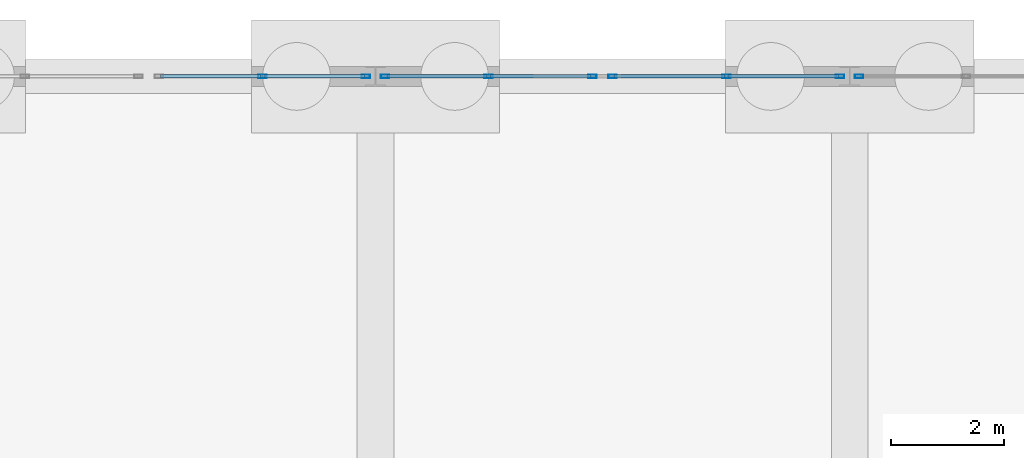
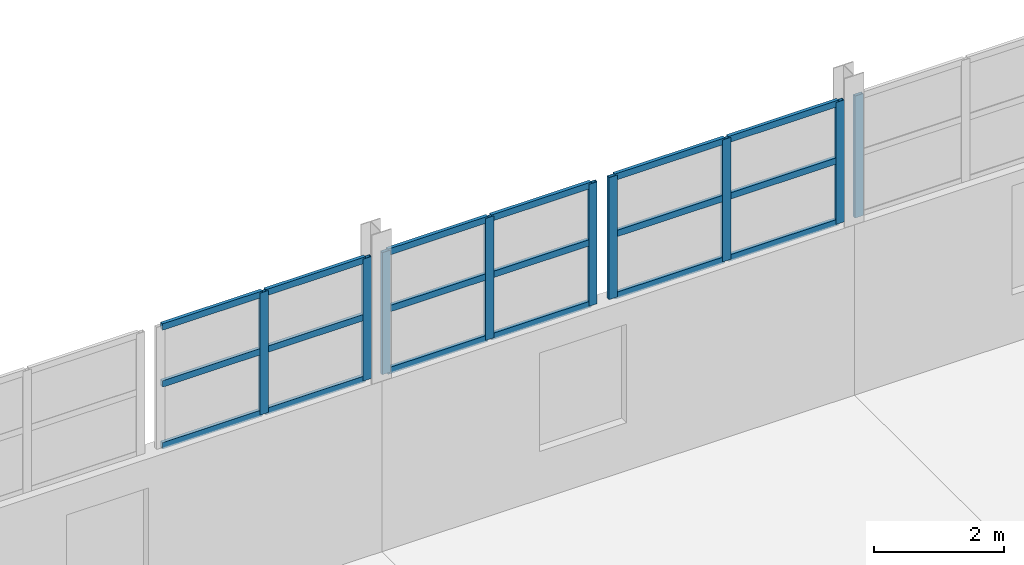
# One storey, part 99 of 139: 27 members, 4 elements without a shape of their own.
"""IFC4 building model written with IfcOpenShell, lengths in metres."""

from ifc_helpers import new_model, si_unit, direction, frame, origin, origin_2d, place, context, subcontext, project, spatial, hollow_rectangle, extrude, material, material_profile, profile_set, type_object, element, aggregate, save


model = new_model("IFC4")

# Units and contexts
model_context = context("Model", 3, precision=1e-05, world=origin(), true_north=direction((0.0, 1.0)))
body_context = subcontext(model_context, "Body", "Model", "MODEL_VIEW")
ifc_project = project(units=[si_unit("LENGTHUNIT", "METRE"), si_unit("AREAUNIT", "SQUARE_METRE"), si_unit("VOLUMEUNIT", "CUBIC_METRE"), si_unit("PLANEANGLEUNIT", "RADIAN"), si_unit("MASSUNIT", "GRAM", prefix="KILO")], contexts=[model_context])

# Site, building, storey
site_placement = place(None, origin())
site = spatial("IfcSite", under=ifc_project, at=site_placement, CompositionType="ELEMENT")
building_placement = place(site_placement, origin())
building = spatial("IfcBuilding", under=site, at=building_placement, Name="Kazenagashi Tramway Depot", CompositionType="ELEMENT")
storey_placement = place(building_placement, origin())
storey = spatial("IfcBuildingStorey", under=building, at=storey_placement, Name="L01", CompositionType="ELEMENT", Elevation=0.0)

# Curtain wall, members
ifc_material_1 = material(Name="Anodised Aluminium and Low-E Glazing", Category="aluminium")
curtain_wall_type_1 = type_object("IfcCurtainWallType", Name="CW-17", PredefinedType="USERDEFINED", material=ifc_material_1)
curtain_wall_1_placement = place(storey_placement, origin())
curtain_wall_1 = element("IfcCurtainWall", 1, at=curtain_wall_1_placement, inside=storey, type_object=curtain_wall_type_1, Name="Industrial Glazed Screen CW-17 CW-0080", ObjectType="GLAZED SCREEN", PredefinedType="USERDEFINED")
ifc_material_2 = material(Name="Anodised Aluminium", Category="aluminium")
ifc_material_profile_1 = material_profile(ifc_material_2, hollow_rectangle(XDim=0.06, YDim=0.15, WallThickness=0.004, at=origin_2d()), Name="RHS-150x60x4")
ifc_profile_set_1 = profile_set([ifc_material_profile_1], Name="Anodised Aluminium")
member_type_1 = type_object("IfcMemberType", Name="ML-01", PredefinedType="MULLION", material=ifc_profile_set_1)
member_1_placement = place(storey_placement, frame((143.595, 130.0, 3.2), z_axis=(0.0, 0.0, 1.0), x_axis=(0.0, 1.0, 0.0)))
member_1 = element("IfcMember", 2, at=member_1_placement, type_object=member_type_1, Name="CW-17 mullion 2", PredefinedType="MULLION", context=body_context, shape_type="SweptSolid", body=[
    extrude(hollow_rectangle(XDim=0.06, YDim=0.15, WallThickness=0.004, at=origin_2d()), origin(), (0.0, 0.0, 1.0), 2.292),
])
member_2_placement = place(storey_placement, frame((145.43, 130.0, 3.2), z_axis=(0.0, 0.0, 1.0), x_axis=(0.0, 1.0, 0.0)))
member_2 = element("IfcMember", 3, at=member_2_placement, type_object=member_type_1, Name="CW-17 mullion 3", PredefinedType="MULLION", context=body_context, shape_type="SweptSolid", body=[
    extrude(hollow_rectangle(XDim=0.06, YDim=0.15, WallThickness=0.004, at=origin_2d()), origin(), (0.0, 0.0, 1.0), 2.292),
])

curtain_wall_2_placement = place(storey_placement, origin())
curtain_wall_2 = element("IfcCurtainWall", 4, at=curtain_wall_2_placement, inside=storey, type_object=curtain_wall_type_1, Name="Industrial Glazed Screen CW-17 CW-0082", ObjectType="GLAZED SCREEN", PredefinedType="USERDEFINED")
member_3_placement = place(storey_placement, frame((145.77, 130.0, 3.2), z_axis=(0.0, 0.0, 1.0), x_axis=(0.0, 1.0, 0.0)))
member_3 = element("IfcMember", 5, at=member_3_placement, type_object=member_type_1, Name="CW-17 mullion 1", PredefinedType="MULLION", context=body_context, shape_type="SweptSolid", body=[
    extrude(hollow_rectangle(XDim=0.06, YDim=0.15, WallThickness=0.004, at=origin_2d()), origin(), (0.0, 0.0, 1.0), 2.292),
])
member_4_placement = place(storey_placement, frame((147.605, 130.0, 3.2), z_axis=(0.0, 0.0, 1.0), x_axis=(0.0, 1.0, 0.0)))
member_4 = element("IfcMember", 6, at=member_4_placement, type_object=member_type_1, Name="CW-17 mullion 2", PredefinedType="MULLION", context=body_context, shape_type="SweptSolid", body=[
    extrude(hollow_rectangle(XDim=0.06, YDim=0.15, WallThickness=0.004, at=origin_2d()), origin(), (0.0, 0.0, 1.0), 2.292),
])
member_5_placement = place(storey_placement, frame((149.44, 130.0, 3.2), z_axis=(0.0, 0.0, 1.0), x_axis=(0.0, 1.0, 0.0)))
member_5 = element("IfcMember", 7, at=member_5_placement, type_object=member_type_1, Name="CW-17 mullion 3", PredefinedType="MULLION", context=body_context, shape_type="SweptSolid", body=[
    extrude(hollow_rectangle(XDim=0.06, YDim=0.15, WallThickness=0.004, at=origin_2d()), origin(), (0.0, 0.0, 1.0), 2.292),
])

curtain_wall_type_2 = type_object("IfcCurtainWallType", Name="CW-16", PredefinedType="USERDEFINED", material=ifc_material_1)
curtain_wall_3_placement = place(storey_placement, origin())
curtain_wall_3 = element("IfcCurtainWall", 8, at=curtain_wall_3_placement, inside=storey, type_object=curtain_wall_type_2, Name="Industrial Glazed Screen CW-16 CW-0083", ObjectType="GLAZED SCREEN", PredefinedType="USERDEFINED")
member_6_placement = place(storey_placement, frame((149.8, 130.0, 3.2), z_axis=(0.0, 0.0, 1.0), x_axis=(0.0, 1.0, 0.0)))
member_6 = element("IfcMember", 9, at=member_6_placement, type_object=member_type_1, Name="CW-16 mullion 1", PredefinedType="MULLION", context=body_context, shape_type="SweptSolid", body=[
    extrude(hollow_rectangle(XDim=0.06, YDim=0.15, WallThickness=0.004, at=origin_2d()), origin(), (0.0, 0.0, 1.0), 2.292),
])
member_7_placement = place(storey_placement, frame((151.815, 130.0, 3.2), z_axis=(0.0, 0.0, 1.0), x_axis=(0.0, 1.0, 0.0)))
member_7 = element("IfcMember", 10, at=member_7_placement, type_object=member_type_1, Name="CW-16 mullion 2", PredefinedType="MULLION", context=body_context, shape_type="SweptSolid", body=[
    extrude(hollow_rectangle(XDim=0.06, YDim=0.15, WallThickness=0.004, at=origin_2d()), origin(), (0.0, 0.0, 1.0), 2.292),
])
member_8_placement = place(storey_placement, frame((153.83, 130.0, 3.2), z_axis=(0.0, 0.0, 1.0), x_axis=(0.0, 1.0, 0.0)))
member_8 = element("IfcMember", 11, at=member_8_placement, type_object=member_type_1, Name="CW-16 mullion 3", PredefinedType="MULLION", context=body_context, shape_type="SweptSolid", body=[
    extrude(hollow_rectangle(XDim=0.06, YDim=0.15, WallThickness=0.004, at=origin_2d()), origin(), (0.0, 0.0, 1.0), 2.292),
])

# Curtain wall, member
curtain_wall_type_3 = type_object("IfcCurtainWallType", Name="CW-18", PredefinedType="USERDEFINED", material=ifc_material_1)
curtain_wall_4_placement = place(storey_placement, origin())
curtain_wall_4 = element("IfcCurtainWall", 12, at=curtain_wall_4_placement, inside=storey, type_object=curtain_wall_type_3, Name="Industrial Glazed Screen CW-18 CW-0085", ObjectType="GLAZED SCREEN", PredefinedType="USERDEFINED")
member_9_placement = place(storey_placement, frame((154.17, 130.0, 3.2), z_axis=(0.0, 0.0, 1.0), x_axis=(0.0, 1.0, 0.0)))
member_9 = element("IfcMember", 13, at=member_9_placement, type_object=member_type_1, Name="CW-18 mullion 1", PredefinedType="MULLION", context=body_context, shape_type="SweptSolid", body=[
    extrude(hollow_rectangle(XDim=0.06, YDim=0.15, WallThickness=0.004, at=origin_2d()), origin(), (0.0, 0.0, 1.0), 2.292),
])
aggregate(curtain_wall_4, [member_9])

# Member
ifc_material_profile_2 = material_profile(ifc_material_2, hollow_rectangle(XDim=0.06, YDim=0.12, WallThickness=0.004, at=origin_2d()), Name="RHS-120x60x4")
ifc_profile_set_2 = profile_set([ifc_material_profile_2], Name="Anodised Aluminium")
member_type_2 = type_object("IfcMemberType", Name="TR-01", PredefinedType="USERDEFINED", material=ifc_profile_set_2)
member_10_placement = place(storey_placement, frame((141.79, 130.0, 3.23), z_axis=(1.0, 0.0, 0.0), x_axis=(0.0, 1.0, 0.0)))
member_10 = element("IfcMember", 14, at=member_10_placement, type_object=member_type_2, Name="CW-17 transom 1.1", ObjectType="TRANSOM", PredefinedType="USERDEFINED", context=body_context, shape_type="SweptSolid", body=[
    extrude(hollow_rectangle(XDim=0.06, YDim=0.12, WallThickness=0.004, at=origin_2d()), origin(), (0.0, 0.0, 1.0), 1.775),
])

member_11_placement = place(storey_placement, frame((141.79, 130.0, 4.392), z_axis=(1.0, 0.0, 0.0), x_axis=(0.0, 1.0, 0.0)))
member_11 = element("IfcMember", 15, at=member_11_placement, type_object=member_type_2, Name="CW-17 transom 1.2", ObjectType="TRANSOM", PredefinedType="USERDEFINED", context=body_context, shape_type="SweptSolid", body=[
    extrude(hollow_rectangle(XDim=0.06, YDim=0.12, WallThickness=0.004, at=origin_2d()), origin(), (0.0, 0.0, 1.0), 1.775),
])

member_12_placement = place(storey_placement, frame((141.79, 130.0, 5.462), z_axis=(1.0, 0.0, 0.0), x_axis=(0.0, 1.0, 0.0)))
member_12 = element("IfcMember", 16, at=member_12_placement, type_object=member_type_2, Name="CW-17 transom 1.3", ObjectType="TRANSOM", PredefinedType="USERDEFINED", context=body_context, shape_type="SweptSolid", body=[
    extrude(hollow_rectangle(XDim=0.06, YDim=0.12, WallThickness=0.004, at=origin_2d()), origin(), (0.0, 0.0, 1.0), 1.775),
])

member_13_placement = place(storey_placement, frame((143.625, 130.0, 3.23), z_axis=(1.0, 0.0, 0.0), x_axis=(0.0, 1.0, 0.0)))
member_13 = element("IfcMember", 17, at=member_13_placement, type_object=member_type_2, Name="CW-17 transom 2.1", ObjectType="TRANSOM", PredefinedType="USERDEFINED", context=body_context, shape_type="SweptSolid", body=[
    extrude(hollow_rectangle(XDim=0.06, YDim=0.12, WallThickness=0.004, at=origin_2d()), origin(), (0.0, 0.0, 1.0), 1.775),
])

member_14_placement = place(storey_placement, frame((143.625, 130.0, 4.392), z_axis=(1.0, 0.0, 0.0), x_axis=(0.0, 1.0, 0.0)))
member_14 = element("IfcMember", 18, at=member_14_placement, type_object=member_type_2, Name="CW-17 transom 2.2", ObjectType="TRANSOM", PredefinedType="USERDEFINED", context=body_context, shape_type="SweptSolid", body=[
    extrude(hollow_rectangle(XDim=0.06, YDim=0.12, WallThickness=0.004, at=origin_2d()), origin(), (0.0, 0.0, 1.0), 1.775),
])

member_15_placement = place(storey_placement, frame((143.625, 130.0, 5.462), z_axis=(1.0, 0.0, 0.0), x_axis=(0.0, 1.0, 0.0)))
member_15 = element("IfcMember", 19, at=member_15_placement, type_object=member_type_2, Name="CW-17 transom 2.3", ObjectType="TRANSOM", PredefinedType="USERDEFINED", context=body_context, shape_type="SweptSolid", body=[
    extrude(hollow_rectangle(XDim=0.06, YDim=0.12, WallThickness=0.004, at=origin_2d()), origin(), (0.0, 0.0, 1.0), 1.775),
])

aggregate(curtain_wall_1, [member_1, member_2, member_10, member_11, member_12, member_13, member_14, member_15])

member_16_placement = place(storey_placement, frame((145.8, 130.0, 3.23), z_axis=(1.0, 0.0, 0.0), x_axis=(0.0, 1.0, 0.0)))
member_16 = element("IfcMember", 20, at=member_16_placement, type_object=member_type_2, Name="CW-17 transom 1.1", ObjectType="TRANSOM", PredefinedType="USERDEFINED", context=body_context, shape_type="SweptSolid", body=[
    extrude(hollow_rectangle(XDim=0.06, YDim=0.12, WallThickness=0.004, at=origin_2d()), origin(), (0.0, 0.0, 1.0), 1.775),
])

member_17_placement = place(storey_placement, frame((145.8, 130.0, 4.392), z_axis=(1.0, 0.0, 0.0), x_axis=(0.0, 1.0, 0.0)))
member_17 = element("IfcMember", 21, at=member_17_placement, type_object=member_type_2, Name="CW-17 transom 1.2", ObjectType="TRANSOM", PredefinedType="USERDEFINED", context=body_context, shape_type="SweptSolid", body=[
    extrude(hollow_rectangle(XDim=0.06, YDim=0.12, WallThickness=0.004, at=origin_2d()), origin(), (0.0, 0.0, 1.0), 1.775),
])

member_18_placement = place(storey_placement, frame((145.8, 130.0, 5.462), z_axis=(1.0, 0.0, 0.0), x_axis=(0.0, 1.0, 0.0)))
member_18 = element("IfcMember", 22, at=member_18_placement, type_object=member_type_2, Name="CW-17 transom 1.3", ObjectType="TRANSOM", PredefinedType="USERDEFINED", context=body_context, shape_type="SweptSolid", body=[
    extrude(hollow_rectangle(XDim=0.06, YDim=0.12, WallThickness=0.004, at=origin_2d()), origin(), (0.0, 0.0, 1.0), 1.775),
])

member_19_placement = place(storey_placement, frame((147.635, 130.0, 3.23), z_axis=(1.0, 0.0, 0.0), x_axis=(0.0, 1.0, 0.0)))
member_19 = element("IfcMember", 23, at=member_19_placement, type_object=member_type_2, Name="CW-17 transom 2.1", ObjectType="TRANSOM", PredefinedType="USERDEFINED", context=body_context, shape_type="SweptSolid", body=[
    extrude(hollow_rectangle(XDim=0.06, YDim=0.12, WallThickness=0.004, at=origin_2d()), origin(), (0.0, 0.0, 1.0), 1.775),
])

member_20_placement = place(storey_placement, frame((147.635, 130.0, 4.392), z_axis=(1.0, 0.0, 0.0), x_axis=(0.0, 1.0, 0.0)))
member_20 = element("IfcMember", 24, at=member_20_placement, type_object=member_type_2, Name="CW-17 transom 2.2", ObjectType="TRANSOM", PredefinedType="USERDEFINED", context=body_context, shape_type="SweptSolid", body=[
    extrude(hollow_rectangle(XDim=0.06, YDim=0.12, WallThickness=0.004, at=origin_2d()), origin(), (0.0, 0.0, 1.0), 1.775),
])

member_21_placement = place(storey_placement, frame((147.635, 130.0, 5.462), z_axis=(1.0, 0.0, 0.0), x_axis=(0.0, 1.0, 0.0)))
member_21 = element("IfcMember", 25, at=member_21_placement, type_object=member_type_2, Name="CW-17 transom 2.3", ObjectType="TRANSOM", PredefinedType="USERDEFINED", context=body_context, shape_type="SweptSolid", body=[
    extrude(hollow_rectangle(XDim=0.06, YDim=0.12, WallThickness=0.004, at=origin_2d()), origin(), (0.0, 0.0, 1.0), 1.775),
])

aggregate(curtain_wall_2, [member_3, member_4, member_5, member_16, member_17, member_18, member_19, member_20, member_21])

member_22_placement = place(storey_placement, frame((149.83, 130.0, 3.23), z_axis=(1.0, 0.0, 0.0), x_axis=(0.0, 1.0, 0.0)))
member_22 = element("IfcMember", 26, at=member_22_placement, type_object=member_type_2, Name="CW-16 transom 1.1", ObjectType="TRANSOM", PredefinedType="USERDEFINED", context=body_context, shape_type="SweptSolid", body=[
    extrude(hollow_rectangle(XDim=0.06, YDim=0.12, WallThickness=0.004, at=origin_2d()), origin(), (0.0, 0.0, 1.0), 1.955),
])

member_23_placement = place(storey_placement, frame((149.83, 130.0, 4.392), z_axis=(1.0, 0.0, 0.0), x_axis=(0.0, 1.0, 0.0)))
member_23 = element("IfcMember", 27, at=member_23_placement, type_object=member_type_2, Name="CW-16 transom 1.2", ObjectType="TRANSOM", PredefinedType="USERDEFINED", context=body_context, shape_type="SweptSolid", body=[
    extrude(hollow_rectangle(XDim=0.06, YDim=0.12, WallThickness=0.004, at=origin_2d()), origin(), (0.0, 0.0, 1.0), 1.955),
])

member_24_placement = place(storey_placement, frame((149.83, 130.0, 5.462), z_axis=(1.0, 0.0, 0.0), x_axis=(0.0, 1.0, 0.0)))
member_24 = element("IfcMember", 28, at=member_24_placement, type_object=member_type_2, Name="CW-16 transom 1.3", ObjectType="TRANSOM", PredefinedType="USERDEFINED", context=body_context, shape_type="SweptSolid", body=[
    extrude(hollow_rectangle(XDim=0.06, YDim=0.12, WallThickness=0.004, at=origin_2d()), origin(), (0.0, 0.0, 1.0), 1.955),
])

member_25_placement = place(storey_placement, frame((151.845, 130.0, 3.23), z_axis=(1.0, 0.0, 0.0), x_axis=(0.0, 1.0, 0.0)))
member_25 = element("IfcMember", 29, at=member_25_placement, type_object=member_type_2, Name="CW-16 transom 2.1", ObjectType="TRANSOM", PredefinedType="USERDEFINED", context=body_context, shape_type="SweptSolid", body=[
    extrude(hollow_rectangle(XDim=0.06, YDim=0.12, WallThickness=0.004, at=origin_2d()), origin(), (0.0, 0.0, 1.0), 1.955),
])

member_26_placement = place(storey_placement, frame((151.845, 130.0, 4.392), z_axis=(1.0, 0.0, 0.0), x_axis=(0.0, 1.0, 0.0)))
member_26 = element("IfcMember", 30, at=member_26_placement, type_object=member_type_2, Name="CW-16 transom 2.2", ObjectType="TRANSOM", PredefinedType="USERDEFINED", context=body_context, shape_type="SweptSolid", body=[
    extrude(hollow_rectangle(XDim=0.06, YDim=0.12, WallThickness=0.004, at=origin_2d()), origin(), (0.0, 0.0, 1.0), 1.955),
])

member_27_placement = place(storey_placement, frame((151.845, 130.0, 5.462), z_axis=(1.0, 0.0, 0.0), x_axis=(0.0, 1.0, 0.0)))
member_27 = element("IfcMember", 31, at=member_27_placement, type_object=member_type_2, Name="CW-16 transom 2.3", ObjectType="TRANSOM", PredefinedType="USERDEFINED", context=body_context, shape_type="SweptSolid", body=[
    extrude(hollow_rectangle(XDim=0.06, YDim=0.12, WallThickness=0.004, at=origin_2d()), origin(), (0.0, 0.0, 1.0), 1.955),
])

aggregate(curtain_wall_3, [member_6, member_7, member_8, member_22, member_23, member_24, member_25, member_26, member_27])

save(model, "model.ifc")
